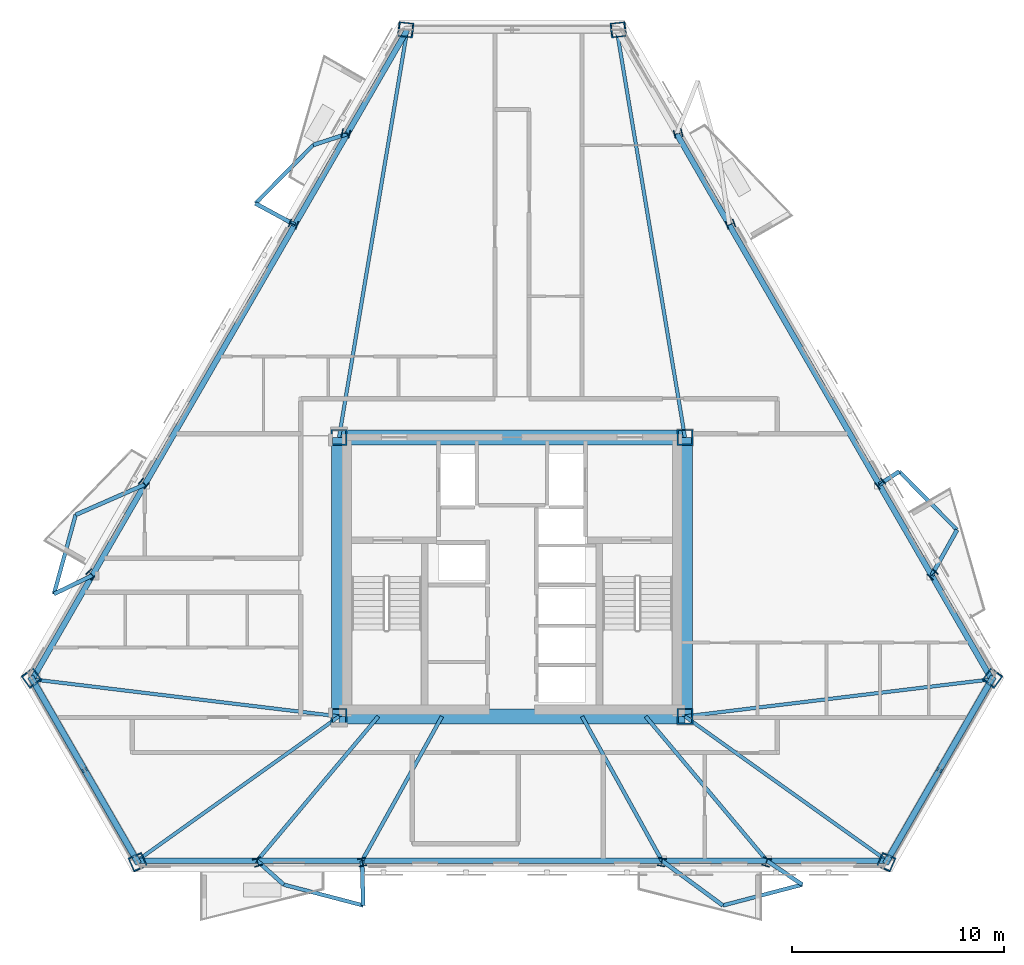
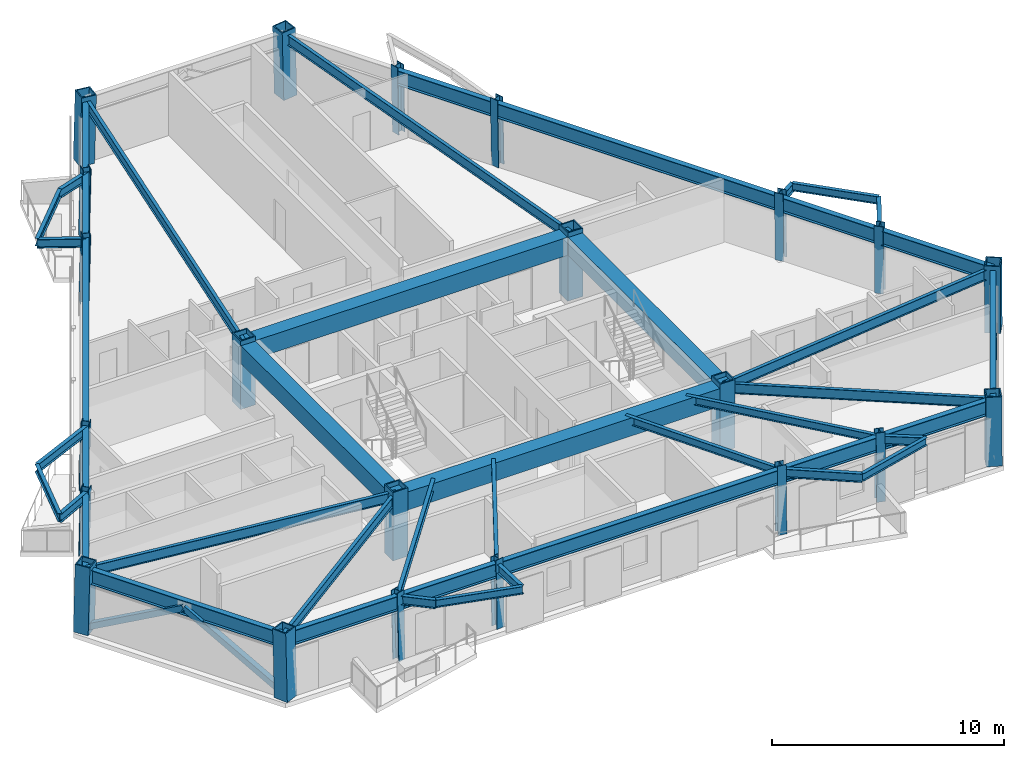
# One storey, part 1 of 9: 45 beams, 22 columns, 4 members.
"""IFC4 building model written with IfcOpenShell, lengths in metres."""

from ifc_helpers import new_model, si_unit, direction, frame, origin, origin_2d, place, context, subcontext, project, spatial, rectangle, hollow_rectangle, i_section, extrude, material, material_profile, profile_set, type_object, element, save


model = new_model("IFC4")

# Units and contexts
model_context = context("Model", 3, precision=1e-05, world=origin(), true_north=direction((0.0, 1.0)))
body_context = subcontext(model_context, "Body", "Model", "MODEL_VIEW")
ifc_project = project(units=[si_unit("LENGTHUNIT", "METRE"), si_unit("AREAUNIT", "SQUARE_METRE"), si_unit("VOLUMEUNIT", "CUBIC_METRE"), si_unit("PLANEANGLEUNIT", "RADIAN"), si_unit("MASSUNIT", "GRAM", prefix="KILO")], contexts=[model_context])

# Site, building, storey
site_placement = place(None, origin())
site = spatial("IfcSite", under=ifc_project, at=site_placement, CompositionType="ELEMENT")
building_placement = place(site_placement, origin())
building = spatial("IfcBuilding", under=site, at=building_placement, Name="Oramaril Tower", CompositionType="ELEMENT")
storey_placement = place(building_placement, frame((0.0, 0.0, 138.60009765625)))
storey = spatial("IfcBuildingStorey", under=building, at=storey_placement, Name="L36", CompositionType="ELEMENT", Elevation=138.60009765625)

# Columns
ifc_material_1 = material(Name="Steel ASTM A572 Gr 50", Category="steel")
ifc_material_profile_1 = material_profile(ifc_material_1, hollow_rectangle(XDim=0.75, YDim=0.75, WallThickness=0.06005859375, at=origin_2d()), Name="BOX750X750X60")
ifc_profile_set_1 = profile_set([ifc_material_profile_1], Name="Steel ASTM A572 Gr 50")
column_type_1 = type_object("IfcColumnType", Name="CT-CC4", PredefinedType="COLUMN", material=ifc_profile_set_1)
for number, where, z_axis, x_axis, name in (
    (1, (29.35009765625, 11.0, 0.0), (0.0, 0.0, 1.0), (1.0, 0.0, 0.0), "L36 Core Column CC-1"),
    (2, (45.64990234375, 11.0, 0.0), (0.0, 0.0, 1.0), (1.0, 0.0, 0.0), "L36 Core Column CC-2"),
    (3, (45.64990234375, 24.14990234375, 0.0), (0.0, 0.0, 1.0), (1.0, 0.0, 0.0), "L36 Core Column CC-3"),
    (4, (29.35009765625, 24.14990234375, 0.0), (0.0, 0.0, 1.0), (1.0, 0.0, 0.0), "L36 Core Column CC-4"),
):
    element("IfcColumn", number, at=place(storey_placement, frame(where, z_axis=z_axis, x_axis=x_axis)), inside=storey, type_object=column_type_1, Name=name, PredefinedType="COLUMN", context=body_context, shape_type="SweptSolid", body=[
        extrude(hollow_rectangle(XDim=0.75, YDim=0.75, WallThickness=0.06005859375, at=origin_2d()), origin(), (0.0, 0.0, 1.0), 3.599853515625),
    ])
ifc_material_2 = material(Name="Steel ASTM A572 Gr 50", Category="steel")
ifc_material_profile_2 = material_profile(ifc_material_2, hollow_rectangle(XDim=0.699951171875, YDim=0.699951171875, WallThickness=0.054931640625, at=origin_2d()), Name="BOX700X700X55")
ifc_profile_set_2 = profile_set([ifc_material_profile_2], Name="Steel ASTM A572 Gr 50")
column_type_2 = type_object("IfcColumnType", Name="CT-TC4", PredefinedType="COLUMN", material=ifc_profile_set_2)
for number, where, z_axis, x_axis, name in (
    (5, (14.845458984375, 12.81982421875, 0.00439453125), (0.014272802345, -0.019506163205, 0.999707855681), (0.807030325658, 0.590509994384, 0.0), "L36 Tube Column TC-01"),
    (6, (19.867919921875, 4.120849609375, 0.00439453125), (-0.009719107607, 0.022088880924, 0.999708767735), (-0.915315032423, -0.402738614266, 0.0), "L36 Tube Column TC-02"),
    (7, (55.132080078125, 4.120849609375, 0.00439453125), (0.009719107607, 0.022088880924, 0.999708767735), (-0.915315032423, 0.402738614266, 0.0), "L36 Tube Column TC-03"),
    (8, (60.154541015625, 12.81982421875, 0.00439453125), (-0.014272802345, -0.019506163205, 0.999707855681), (0.807030325658, -0.590509994384, 0.0), "L36 Tube Column TC-04"),
    (9, (42.5224609375, 43.359619140625, 0.00439453125), (-0.02405984636, -0.00265066104, 0.999707005972), (0.109506935686, -0.99398603161, 0.0), "L36 Tube Column TC-05"),
    (10, (32.4775390625, 43.359619140625, 0.00439453125), (0.02405984636, -0.00265066104, 0.999707005972), (0.109506935686, 0.99398603161, 0.0), "L36 Tube Column TC-06"),
):
    element("IfcColumn", number, at=place(storey_placement, frame(where, z_axis=z_axis, x_axis=x_axis)), inside=storey, type_object=column_type_2, Name=name, PredefinedType="COLUMN", context=body_context, shape_type="SweptSolid", body=[
        extrude(hollow_rectangle(XDim=0.699951171875, YDim=0.699951171875, WallThickness=0.054931640625, at=origin_2d()), origin(), (0.0, 0.0, 1.0), 3.592041015625),
    ])
ifc_material_3 = material(Name="Steel ASTM A572 Gr 50", Category="steel")
ifc_material_profile_3 = material_profile(ifc_material_3, i_section(OverallWidth=0.39892578125, OverallDepth=0.385986328125, WebThickness=0.02099609375, FlangeThickness=0.033203125, at=origin_2d()), Name="W14X176")
ifc_profile_set_3 = profile_set([ifc_material_profile_3], Name="Steel ASTM A572 Gr 50")
column_type_3 = type_object("IfcColumnType", Name="CT-TF4", PredefinedType="COLUMN", material=ifc_profile_set_3)
for number, where, z_axis, x_axis, name in (
    (11, (25.51025390625, 4.120849609375, 0.00439453125), (-0.006660814016, 0.022089434236, 0.999733809797), (-0.957419931855, -0.288698933298, 0.0), "L36 Tube Column TC-07"),
    (12, (30.447265625, 4.120849609375, 0.00439453125), (-0.003942171237, 0.02208975262, 0.999748219361), (-0.984446290974, -0.17568579962, 0.0), "L36 Tube Column TC-08"),
    (13, (44.552734375, 4.120849609375, 0.00439453125), (0.003942171237, 0.02208975262, 0.999748219361), (-0.984446290974, 0.17568579962, 0.0), "L36 Tube Column TC-09"),
    (14, (49.48974609375, 4.120849609375, 0.00439453125), (0.006660814016, 0.022089434236, 0.999733809797), (-0.957419931855, 0.288698933298, 0.0), "L36 Tube Column TC-10"),
    (15, (57.33349609375, 17.706298828125, 0.00439453125), (-0.01583640453, -0.016855915551, 0.999732507425), (0.728803631313, -0.684722766516, 0.0), "L36 Tube Column TC-11"),
    (16, (54.864990234375, 21.981689453125, 0.00439453125), (-0.017263955549, -0.014477254062, 0.999746150257), (0.642555132876, -0.766239454228, 0.0), "L36 Tube Column TC-12"),
    (17, (47.81201171875, 34.197509765625, 0.00439453125), (-0.021138169584, -0.007680428177, 0.999747062416), (0.341500399128, -0.939881629459, 0.0), "L36 Tube Column TC-13"),
    (18, (45.343505859375, 38.47314453125, 0.00439453125), (-0.022497217559, -0.005301459123, 0.999732849182), (0.229367125794, -0.973339982537, 0.0), "L36 Tube Column TC-14"),
    (19, (29.656494140625, 38.47314453125, 0.00439453125), (0.022497217559, -0.005301459123, 0.999732849182), (0.229367125794, 0.973339982537, 0.0), "L36 Tube Column TC-15"),
    (20, (27.18798828125, 34.197509765625, 0.00439453125), (0.021138169584, -0.007680428177, 0.999747062416), (0.341500399128, 0.939881629459, 0.0), "L36 Tube Column TC-16"),
    (21, (20.135009765625, 21.981689453125, 0.00439453125), (0.017263955549, -0.014477254062, 0.999746150257), (0.642555132876, 0.766239454228, 0.0), "L36 Tube Column TC-17"),
    (22, (17.66650390625, 17.706298828125, 0.00439453125), (0.01583640453, -0.016855915551, 0.999732507425), (0.728803631313, 0.684722766516, 0.0), "L36 Tube Column TC-18"),
):
    element("IfcColumn", number, at=place(storey_placement, frame(where, z_axis=z_axis, x_axis=x_axis)), inside=storey, type_object=column_type_3, Name=name, PredefinedType="COLUMN", context=body_context, shape_type="SweptSolid", body=[
        extrude(i_section(OverallWidth=0.39892578125, OverallDepth=0.385986328125, WebThickness=0.02099609375, FlangeThickness=0.033203125, at=origin_2d()), origin(), (0.0, 0.0, 1.0), 3.592041015625),
    ])

# Beams
ifc_material_4 = material(Name="Steel ASTM A572 Gr 50", Category="steel")
ifc_material_profile_4 = material_profile(ifc_material_4, i_section(OverallWidth=0.19091796875, OverallDepth=0.45703125, WebThickness=0.009033203125, FlangeThickness=0.014404296875, at=origin_2d()), Name="W18X50")
ifc_profile_set_4 = profile_set([ifc_material_profile_4], Name="Steel ASTM A572 Gr 50")
beam_type_1 = type_object("IfcBeamType", Name="BT-BB1", PredefinedType="BEAM", material=ifc_profile_set_4)
beam_1_placement = place(storey_placement, frame((25.486328125, 4.2001953125, 3.13134765625), z_axis=(0.744750099189, -0.667343457117, 0.0), x_axis=(0.667343457117, 0.744750099189, 0.0)))
element("IfcBeam", 23, at=beam_1_placement, inside=storey, type_object=beam_type_1, Name="L36 Balcony Column-Framed Cantilever 01.1", PredefinedType="BEAM", context=body_context, shape_type="SweptSolid", body=[
    extrude(i_section(OverallWidth=0.19091796875, OverallDepth=0.45703125, WebThickness=0.009033203125, FlangeThickness=0.014404296875, at=origin_2d()), origin(), (0.0, 0.0, 1.0), 1.6904296875),
])
beam_2_placement = place(storey_placement, frame((30.43310546875, 4.2001953125, 3.13134765625), z_axis=(0.026626341043, -0.999645456131, 0.0), x_axis=(0.999645456131, 0.026626341043, 0.0)))
element("IfcBeam", 24, at=beam_2_placement, inside=storey, type_object=beam_type_1, Name="L36 Balcony Column-Framed Cantilever 01.2", PredefinedType="BEAM", context=body_context, shape_type="SweptSolid", body=[
    extrude(i_section(OverallWidth=0.19091796875, OverallDepth=0.45703125, WebThickness=0.009033203125, FlangeThickness=0.014404296875, at=origin_2d()), origin(), (0.0, 0.0, 1.0), 2.10888671875),
])
beam_3_placement = place(storey_placement, frame((44.56689453125, 4.2001953125, 3.13134765625), z_axis=(0.805829056561, -0.592148234483, 0.0), x_axis=(0.592148234483, 0.805829056561, 0.0)))
element("IfcBeam", 25, at=beam_3_placement, inside=storey, type_object=beam_type_1, Name="L36 Balcony Column-Framed Cantilever 02.1", PredefinedType="BEAM", context=body_context, shape_type="SweptSolid", body=[
    extrude(i_section(OverallWidth=0.19091796875, OverallDepth=0.45703125, WebThickness=0.009033203125, FlangeThickness=0.014404296875, at=origin_2d()), origin(), (0.0, 0.0, 1.0), 3.56005859375),
])
beam_4_placement = place(storey_placement, frame((49.513671875, 4.2001953125, 3.13134765625), z_axis=(0.828015004901, -0.560705940452, 0.0), x_axis=(0.560705940452, 0.828015004901, 0.0)))
element("IfcBeam", 26, at=beam_4_placement, inside=storey, type_object=beam_type_1, Name="L36 Balcony Column-Framed Cantilever 02.2", PredefinedType="BEAM", context=body_context, shape_type="SweptSolid", body=[
    extrude(i_section(OverallWidth=0.19091796875, OverallDepth=0.45703125, WebThickness=0.009033203125, FlangeThickness=0.014404296875, at=origin_2d()), origin(), (0.0, 0.0, 1.0), 2.011962890625),
])
beam_5_placement = place(storey_placement, frame((57.276611328125, 17.645751953125, 3.13134765625), z_axis=(0.487128114149, 0.873330521856, 0.0), x_axis=(-0.873330521856, 0.487128114149, 0.0)))
element("IfcBeam", 27, at=beam_5_placement, inside=storey, type_object=beam_type_1, Name="L36 Balcony Column-Framed Cantilever 03.1", PredefinedType="BEAM", context=body_context, shape_type="SweptSolid", body=[
    extrude(i_section(OverallWidth=0.19091796875, OverallDepth=0.45703125, WebThickness=0.009033203125, FlangeThickness=0.014404296875, at=origin_2d()), origin(), (0.0, 0.0, 1.0), 2.455322265625),
])
beam_6_placement = place(storey_placement, frame((54.802978515625, 21.9296875, 3.13134765625), z_axis=(0.840074260377, 0.542471415885, 0.0), x_axis=(-0.542471415885, 0.840074260377, 0.0)))
element("IfcBeam", 28, at=beam_6_placement, inside=storey, type_object=beam_type_1, Name="L36 Balcony Column-Framed Cantilever 03.2", PredefinedType="BEAM", context=body_context, shape_type="SweptSolid", body=[
    extrude(i_section(OverallWidth=0.19091796875, OverallDepth=0.45703125, WebThickness=0.009033203125, FlangeThickness=0.014404296875, at=origin_2d()), origin(), (0.0, 0.0, 1.0), 1.129638671875),
])
beam_7_placement = place(storey_placement, frame((29.7373046875, 38.4541015625, 3.13134765625), z_axis=(-0.950288399722, -0.311371092675, 0.0), x_axis=(0.311371092675, -0.950288399722, 0.0)))
element("IfcBeam", 29, at=beam_7_placement, inside=storey, type_object=beam_type_1, Name="L36 Balcony Column-Framed Cantilever 05.1", PredefinedType="BEAM", context=body_context, shape_type="SweptSolid", body=[
    extrude(i_section(OverallWidth=0.19091796875, OverallDepth=0.45703125, WebThickness=0.009033203125, FlangeThickness=0.014404296875, at=origin_2d()), origin(), (0.0, 0.0, 1.0), 1.6904296875),
])
beam_8_placement = place(storey_placement, frame((27.263916015625, 34.169921875, 3.13134765625), z_axis=(-0.879043368218, 0.476741813555, 0.0), x_axis=(-0.476741813555, -0.879043368218, 0.0)))
element("IfcBeam", 30, at=beam_8_placement, inside=storey, type_object=beam_type_1, Name="L36 Balcony Column-Framed Cantilever 05.2", PredefinedType="BEAM", context=body_context, shape_type="SweptSolid", body=[
    extrude(i_section(OverallWidth=0.19091796875, OverallDepth=0.45703125, WebThickness=0.009033203125, FlangeThickness=0.014404296875, at=origin_2d()), origin(), (0.0, 0.0, 1.0), 2.10888671875),
])
beam_9_placement = place(storey_placement, frame((20.197021484375, 21.9296875, 3.13134765625), z_axis=(-0.915727125566, -0.401800736066, 0.0), x_axis=(0.401800736066, -0.915727125566, 0.0)))
element("IfcBeam", 31, at=beam_9_placement, inside=storey, type_object=beam_type_1, Name="L36 Balcony Column-Framed Cantilever 06.1", PredefinedType="BEAM", context=body_context, shape_type="SweptSolid", body=[
    extrude(i_section(OverallWidth=0.19091796875, OverallDepth=0.45703125, WebThickness=0.009033203125, FlangeThickness=0.014404296875, at=origin_2d()), origin(), (0.0, 0.0, 1.0), 3.56005859375),
])
beam_10_placement = place(storey_placement, frame((17.723388671875, 17.645751953125, 3.13134765625), z_axis=(-0.899536769902, -0.436845052158, 0.0), x_axis=(0.436845052158, -0.899536769902, 0.0)))
element("IfcBeam", 32, at=beam_10_placement, inside=storey, type_object=beam_type_1, Name="L36 Balcony Column-Framed Cantilever 06.2", PredefinedType="BEAM", context=body_context, shape_type="SweptSolid", body=[
    extrude(i_section(OverallWidth=0.19091796875, OverallDepth=0.45703125, WebThickness=0.009033203125, FlangeThickness=0.014404296875, at=origin_2d()), origin(), (0.0, 0.0, 1.0), 2.011962890625),
])
ifc_material_5 = material(Name="Concrete C50/60", Category="concrete")
ifc_material_profile_5 = material_profile(ifc_material_5, rectangle(XDim=0.699951171875, YDim=0.949951171875, at=origin_2d()), Name="CB700X950")
ifc_profile_set_5 = profile_set([ifc_material_profile_5], Name="Concrete C50/60")
beam_type_2 = type_object("IfcBeamType", Name="BT-CB1", PredefinedType="BEAM", material=ifc_profile_set_5)
beam_11_placement = place(storey_placement, frame((29.35009765625, 11.0, 2.885009765625), z_axis=(1.0, 0.0, 0.0), x_axis=(0.0, 1.0, 0.0)))
element("IfcBeam", 33, at=beam_11_placement, inside=storey, type_object=beam_type_2, Name="L36 Core Header Beam CB-1", PredefinedType="BEAM", context=body_context, shape_type="SweptSolid", body=[
    extrude(rectangle(XDim=0.699951171875, YDim=0.949951171875, at=origin_2d()), origin(), (0.0, 0.0, 1.0), 16.2998046875),
])
beam_12_placement = place(storey_placement, frame((45.64990234375, 11.0, 2.885009765625), z_axis=(0.0, 1.0, 0.0), x_axis=(-1.0, 0.0, 0.0)))
element("IfcBeam", 34, at=beam_12_placement, inside=storey, type_object=beam_type_2, Name="L36 Core Header Beam CB-2", PredefinedType="BEAM", context=body_context, shape_type="SweptSolid", body=[
    extrude(rectangle(XDim=0.699951171875, YDim=0.949951171875, at=origin_2d()), origin(), (0.0, 0.0, 1.0), 13.14990234375),
])
beam_13_placement = place(storey_placement, frame((45.64990234375, 24.14990234375, 2.885009765625), z_axis=(-1.0, 0.0, 0.0), x_axis=(0.0, -1.0, 0.0)))
element("IfcBeam", 35, at=beam_13_placement, inside=storey, type_object=beam_type_2, Name="L36 Core Header Beam CB-3", PredefinedType="BEAM", context=body_context, shape_type="SweptSolid", body=[
    extrude(rectangle(XDim=0.699951171875, YDim=0.949951171875, at=origin_2d()), origin(), (0.0, 0.0, 1.0), 16.2998046875),
])
beam_14_placement = place(storey_placement, frame((29.35009765625, 24.14990234375, 2.885009765625), z_axis=(0.0, -1.0, 0.0), x_axis=(1.0, 0.0, 0.0)))
element("IfcBeam", 36, at=beam_14_placement, inside=storey, type_object=beam_type_2, Name="L36 Core Header Beam CB-4", PredefinedType="BEAM", context=body_context, shape_type="SweptSolid", body=[
    extrude(rectangle(XDim=0.699951171875, YDim=0.949951171875, at=origin_2d()), origin(), (0.0, 0.0, 1.0), 13.14990234375),
])
ifc_material_6 = material(Name="Steel ASTM A572 Gr 50", Category="steel")
ifc_material_profile_6 = material_profile(ifc_material_6, i_section(OverallWidth=0.166015625, OverallDepth=0.528076171875, WebThickness=0.009765625, FlangeThickness=0.013671875, at=origin_2d()), Name="W21X50")
ifc_profile_set_6 = profile_set([ifc_material_profile_6], Name="Steel ASTM A572 Gr 50")
beam_type_3 = type_object("IfcBeamType", Name="BT-FB3", PredefinedType="BEAM", material=ifc_profile_set_6)
beam_15_placement = place(storey_placement, frame((29.35009765625, 11.0, 3.095947265625), z_axis=(-0.992751557131, 0.120184632185, 0.0), x_axis=(-0.120184632185, -0.992751557131, 0.0)))
element("IfcBeam", 37, at=beam_15_placement, inside=storey, type_object=beam_type_3, Name="L36 Radial Primary Beam RB-01", PredefinedType="BEAM", context=body_context, shape_type="SweptSolid", body=[
    extrude(i_section(OverallWidth=0.166015625, OverallDepth=0.528076171875, WebThickness=0.009765625, FlangeThickness=0.013671875, at=origin_2d()), origin(), (0.0, 0.0, 1.0), 14.558837890625),
])
for number, where, z_axis, x_axis, name in (
    (38, (29.35009765625, 11.0, 3.095947265625), (-0.813657307287, -0.581344808439, 0.0), (0.581344808439, -0.813657307287, 0.0), "L36 Radial Primary Beam RB-02"),
    (39, (45.64990234375, 11.0, 3.095947265625), (0.813657307287, -0.581344808439, 0.0), (0.581344808439, 0.813657307287, 0.0), "L36 Radial Primary Beam RB-03"),
):
    element("IfcBeam", number, at=place(storey_placement, frame(where, z_axis=z_axis, x_axis=x_axis)), inside=storey, type_object=beam_type_3, Name=name, PredefinedType="BEAM", context=body_context, shape_type="SweptSolid", body=[
        extrude(i_section(OverallWidth=0.166015625, OverallDepth=0.528076171875, WebThickness=0.009765625, FlangeThickness=0.013671875, at=origin_2d()), origin(), (0.0, 0.0, 1.0), 11.69677734375),
    ])
beam_16_placement = place(storey_placement, frame((45.64990234375, 11.0, 3.095947265625), z_axis=(0.992751557131, 0.120184632185, 0.0), x_axis=(-0.120184632185, 0.992751557131, 0.0)))
element("IfcBeam", 40, at=beam_16_placement, inside=storey, type_object=beam_type_3, Name="L36 Radial Primary Beam RB-04", PredefinedType="BEAM", context=body_context, shape_type="SweptSolid", body=[
    extrude(i_section(OverallWidth=0.166015625, OverallDepth=0.528076171875, WebThickness=0.009765625, FlangeThickness=0.013671875, at=origin_2d()), origin(), (0.0, 0.0, 1.0), 14.558837890625),
])
for number, where, z_axis, x_axis, name in (
    (41, (45.64990234375, 24.14990234375, 3.095947265625), (-0.165090399472, 0.986278439388, 0.0), (-0.986278439388, -0.165090399472, 0.0), "L36 Radial Primary Beam RB-05"),
    (42, (29.35009765625, 24.14990234375, 3.095947265625), (0.165090399472, 0.986278439388, 0.0), (-0.986278439388, 0.165090399472, 0.0), "L36 Radial Primary Beam RB-06"),
):
    element("IfcBeam", number, at=place(storey_placement, frame(where, z_axis=z_axis, x_axis=x_axis)), inside=storey, type_object=beam_type_3, Name=name, PredefinedType="BEAM", context=body_context, shape_type="SweptSolid", body=[
        extrude(i_section(OverallWidth=0.166015625, OverallDepth=0.528076171875, WebThickness=0.009765625, FlangeThickness=0.013671875, at=origin_2d()), origin(), (0.0, 0.0, 1.0), 19.46728515625),
    ])
ifc_material_7 = material(Name="Steel ASTM A572 Gr 50", Category="steel")
ifc_material_profile_7 = material_profile(ifc_material_7, i_section(OverallWidth=0.177978515625, OverallDepth=0.404052734375, WebThickness=0.007568359375, FlangeThickness=0.010986328125, at=origin_2d()), Name="W16X36")
ifc_profile_set_7 = profile_set([ifc_material_profile_7], Name="Steel ASTM A572 Gr 50")
beam_type_4 = type_object("IfcBeamType", Name="BT-SB1", PredefinedType="BEAM", material=ifc_profile_set_7)
beam_17_placement = place(storey_placement, frame((31.199951171875, 11.0, 3.157958984375), z_axis=(-0.64331005181, -0.765605758364, 0.0), x_axis=(0.765605758364, -0.64331005181, 0.0)))
element("IfcBeam", 43, at=beam_17_placement, inside=storey, type_object=beam_type_4, Name="L36 Secondary Floor Beam SB-01", PredefinedType="BEAM", context=body_context, shape_type="SweptSolid", body=[
    extrude(i_section(OverallWidth=0.177978515625, OverallDepth=0.404052734375, WebThickness=0.007568359375, FlangeThickness=0.010986328125, at=origin_2d()), origin(), (0.0, 0.0, 1.0), 8.881591796875),
])
for number, where, z_axis, x_axis, name in (
    (44, (34.199951171875, 11.0, 3.157958984375), (-0.484578585287, -0.874747732024, 0.0), (0.874747732024, -0.484578585287, 0.0), "L36 Secondary Floor Beam SB-02"),
    (45, (40.800048828125, 11.0, 3.157958984375), (0.484578585287, -0.874747732024, 0.0), (0.874747732024, 0.484578585287, 0.0), "L36 Secondary Floor Beam SB-03"),
):
    element("IfcBeam", number, at=place(storey_placement, frame(where, z_axis=z_axis, x_axis=x_axis)), inside=storey, type_object=beam_type_4, Name=name, PredefinedType="BEAM", context=body_context, shape_type="SweptSolid", body=[
        extrude(i_section(OverallWidth=0.177978515625, OverallDepth=0.404052734375, WebThickness=0.007568359375, FlangeThickness=0.010986328125, at=origin_2d()), origin(), (0.0, 0.0, 1.0), 7.7734375),
    ])
beam_18_placement = place(storey_placement, frame((43.800048828125, 11.0, 3.157958984375), z_axis=(0.64331005181, -0.765605758364, 0.0), x_axis=(0.765605758364, 0.64331005181, 0.0)))
element("IfcBeam", 46, at=beam_18_placement, inside=storey, type_object=beam_type_4, Name="L36 Secondary Floor Beam SB-04", PredefinedType="BEAM", context=body_context, shape_type="SweptSolid", body=[
    extrude(i_section(OverallWidth=0.177978515625, OverallDepth=0.404052734375, WebThickness=0.007568359375, FlangeThickness=0.010986328125, at=origin_2d()), origin(), (0.0, 0.0, 1.0), 8.881591796875),
])
for number, where, z_axis, x_axis, name in (
    (47, (26.745361328125, 3.072021484375, 3.157958984375), (0.967407922874, -0.253223045479, 0.0), (0.253223045479, 0.967407922874, 0.0), "L36 Balcony Edge Tie Beam 01"),
    (48, (47.435791015625, 2.092041015625, 3.157958984375), (0.967407922874, 0.253223045479, 0.0), (-0.253223045479, 0.967407922874, 0.0), "L36 Balcony Edge Tie Beam 02"),
    (49, (58.47265625, 19.7900390625, 3.157958984375), (-0.702994511648, 0.71119527318, 0.0), (-0.71119527318, -0.702994511648, 0.0), "L36 Balcony Edge Tie Beam 03"),
    (50, (28.130859375, 37.927734375, 3.157958984375), (-0.702994511648, -0.71119527318, 0.0), (0.71119527318, -0.702994511648, 0.0), "L36 Balcony Edge Tie Beam 05"),
    (51, (16.93701171875, 20.499267578125, 3.157958984375), (-0.264440915482, -0.964401888332, 0.0), (0.964401888332, -0.264440915482, 0.0), "L36 Balcony Edge Tie Beam 06"),
):
    element("IfcBeam", number, at=place(storey_placement, frame(where, z_axis=z_axis, x_axis=x_axis)), inside=storey, type_object=beam_type_4, Name=name, PredefinedType="BEAM", context=body_context, shape_type="SweptSolid", body=[
        extrude(i_section(OverallWidth=0.177978515625, OverallDepth=0.404052734375, WebThickness=0.007568359375, FlangeThickness=0.010986328125, at=origin_2d()), origin(), (0.0, 0.0, 1.0), 3.8701171875),
    ])
ifc_material_8 = material(Name="Steel ASTM A572 Gr 50", Category="steel")
ifc_material_profile_8 = material_profile(ifc_material_8, i_section(OverallWidth=0.26708984375, OverallDepth=0.77001953125, WebThickness=0.015625, FlangeThickness=0.025390625, at=origin_2d()), Name="W30X132")
ifc_profile_set_8 = profile_set([ifc_material_profile_8], Name="Steel ASTM A572 Gr 50")
beam_type_5 = type_object("IfcBeamType", Name="BT-SP3", PredefinedType="SPANDREL", material=ifc_profile_set_8)
beam_19_placement = place(storey_placement, frame((14.896728515625, 12.749755859375, 2.974853515625), z_axis=(0.500014298586, -0.866017148335, 0.0), x_axis=(0.866017148335, 0.500014298586, 0.0)))
element("IfcBeam", 52, at=beam_19_placement, inside=storey, type_object=beam_type_5, Name="L36 Perimeter Spandrel 01", PredefinedType="SPANDREL", context=body_context, shape_type="SweptSolid", body=[
    extrude(i_section(OverallWidth=0.26708984375, OverallDepth=0.77001953125, WebThickness=0.015625, FlangeThickness=0.025390625, at=origin_2d()), origin(), (0.0, 0.0, 1.0), 9.872314453125),
])
beam_20_placement = place(storey_placement, frame((19.8330078125, 4.2001953125, 2.974853515625), z_axis=(1.0, 0.0, 0.0), x_axis=(0.0, 1.0, 0.0)))
element("IfcBeam", 53, at=beam_20_placement, inside=storey, type_object=beam_type_5, Name="L36 Perimeter Spandrel 02", PredefinedType="SPANDREL", context=body_context, shape_type="SweptSolid", body=[
    extrude(i_section(OverallWidth=0.26708984375, OverallDepth=0.77001953125, WebThickness=0.015625, FlangeThickness=0.025390625, at=origin_2d()), origin(), (0.0, 0.0, 1.0), 5.6533203125),
])
beam_21_placement = place(storey_placement, frame((25.486328125, 4.2001953125, 2.974853515625), z_axis=(1.0, 0.0, 0.0), x_axis=(0.0, 1.0, 0.0)))
element("IfcBeam", 54, at=beam_21_placement, inside=storey, type_object=beam_type_5, Name="L36 Perimeter Spandrel 03", PredefinedType="SPANDREL", context=body_context, shape_type="SweptSolid", body=[
    extrude(i_section(OverallWidth=0.26708984375, OverallDepth=0.77001953125, WebThickness=0.015625, FlangeThickness=0.025390625, at=origin_2d()), origin(), (0.0, 0.0, 1.0), 4.94677734375),
])
beam_22_placement = place(storey_placement, frame((30.43310546875, 4.2001953125, 2.974853515625), z_axis=(1.0, 0.0, 0.0), x_axis=(0.0, 1.0, 0.0)))
element("IfcBeam", 55, at=beam_22_placement, inside=storey, type_object=beam_type_5, Name="L36 Perimeter Spandrel 04", PredefinedType="SPANDREL", context=body_context, shape_type="SweptSolid", body=[
    extrude(i_section(OverallWidth=0.26708984375, OverallDepth=0.77001953125, WebThickness=0.015625, FlangeThickness=0.025390625, at=origin_2d()), origin(), (0.0, 0.0, 1.0), 14.1337890625),
])
beam_23_placement = place(storey_placement, frame((44.56689453125, 4.2001953125, 2.974853515625), z_axis=(1.0, 0.0, 0.0), x_axis=(0.0, 1.0, 0.0)))
element("IfcBeam", 56, at=beam_23_placement, inside=storey, type_object=beam_type_5, Name="L36 Perimeter Spandrel 05", PredefinedType="SPANDREL", context=body_context, shape_type="SweptSolid", body=[
    extrude(i_section(OverallWidth=0.26708984375, OverallDepth=0.77001953125, WebThickness=0.015625, FlangeThickness=0.025390625, at=origin_2d()), origin(), (0.0, 0.0, 1.0), 4.94677734375),
])
beam_24_placement = place(storey_placement, frame((49.513671875, 4.2001953125, 2.974853515625), z_axis=(1.0, 0.0, 0.0), x_axis=(0.0, 1.0, 0.0)))
element("IfcBeam", 57, at=beam_24_placement, inside=storey, type_object=beam_type_5, Name="L36 Perimeter Spandrel 06", PredefinedType="SPANDREL", context=body_context, shape_type="SweptSolid", body=[
    extrude(i_section(OverallWidth=0.26708984375, OverallDepth=0.77001953125, WebThickness=0.015625, FlangeThickness=0.025390625, at=origin_2d()), origin(), (0.0, 0.0, 1.0), 5.6533203125),
])
beam_25_placement = place(storey_placement, frame((55.1669921875, 4.2001953125, 2.974853515625), z_axis=(0.500014298586, 0.866017148335, 0.0), x_axis=(-0.866017148335, 0.500014298586, 0.0)))
element("IfcBeam", 58, at=beam_25_placement, inside=storey, type_object=beam_type_5, Name="L36 Perimeter Spandrel 07", PredefinedType="SPANDREL", context=body_context, shape_type="SweptSolid", body=[
    extrude(i_section(OverallWidth=0.26708984375, OverallDepth=0.77001953125, WebThickness=0.015625, FlangeThickness=0.025390625, at=origin_2d()), origin(), (0.0, 0.0, 1.0), 9.872314453125),
])
beam_26_placement = place(storey_placement, frame((60.103271484375, 12.749755859375, 2.974853515625), z_axis=(-0.499994095595, 0.866028812667, 0.0), x_axis=(-0.866028812667, -0.499994095595, 0.0)))
element("IfcBeam", 59, at=beam_26_placement, inside=storey, type_object=beam_type_5, Name="L36 Perimeter Spandrel 08", PredefinedType="SPANDREL", context=body_context, shape_type="SweptSolid", body=[
    extrude(i_section(OverallWidth=0.26708984375, OverallDepth=0.77001953125, WebThickness=0.015625, FlangeThickness=0.025390625, at=origin_2d()), origin(), (0.0, 0.0, 1.0), 5.6533203125),
])
beam_27_placement = place(storey_placement, frame((57.276611328125, 17.645751953125, 2.974853515625), z_axis=(-0.5000457062, 0.865999013689, 0.0), x_axis=(-0.865999013689, -0.5000457062, 0.0)))
element("IfcBeam", 60, at=beam_27_placement, inside=storey, type_object=beam_type_5, Name="L36 Perimeter Spandrel 09", PredefinedType="SPANDREL", context=body_context, shape_type="SweptSolid", body=[
    extrude(i_section(OverallWidth=0.26708984375, OverallDepth=0.77001953125, WebThickness=0.015625, FlangeThickness=0.025390625, at=origin_2d()), origin(), (0.0, 0.0, 1.0), 4.94677734375),
])
beam_28_placement = place(storey_placement, frame((54.802978515625, 21.9296875, 2.974853515625), z_axis=(-0.499999571235, 0.866025651332, 0.0), x_axis=(-0.866025651332, -0.499999571235, 0.0)))
element("IfcBeam", 61, at=beam_28_placement, inside=storey, type_object=beam_type_5, Name="L36 Perimeter Spandrel 10", PredefinedType="SPANDREL", context=body_context, shape_type="SweptSolid", body=[
    extrude(i_section(OverallWidth=0.26708984375, OverallDepth=0.77001953125, WebThickness=0.015625, FlangeThickness=0.025390625, at=origin_2d()), origin(), (0.0, 0.0, 1.0), 14.1337890625),
])
beam_29_placement = place(storey_placement, frame((47.736083984375, 34.169921875, 2.974853515625), z_axis=(-0.499987321717, 0.866032723471, 0.0), x_axis=(-0.866032723471, -0.499987321717, 0.0)))
element("IfcBeam", 62, at=beam_29_placement, inside=storey, type_object=beam_type_5, Name="L36 Perimeter Spandrel 11", PredefinedType="SPANDREL", context=body_context, shape_type="SweptSolid", body=[
    extrude(i_section(OverallWidth=0.26708984375, OverallDepth=0.77001953125, WebThickness=0.015625, FlangeThickness=0.025390625, at=origin_2d()), origin(), (0.0, 0.0, 1.0), 4.947021484375),
])
beam_30_placement = place(storey_placement, frame((32.56396484375, 43.35009765625, 2.974853515625), z_axis=(-0.499994095595, -0.866028812667, 0.0), x_axis=(0.866028812667, -0.499994095595, 0.0)))
element("IfcBeam", 63, at=beam_30_placement, inside=storey, type_object=beam_type_5, Name="L36 Perimeter Spandrel 14", PredefinedType="SPANDREL", context=body_context, shape_type="SweptSolid", body=[
    extrude(i_section(OverallWidth=0.26708984375, OverallDepth=0.77001953125, WebThickness=0.015625, FlangeThickness=0.025390625, at=origin_2d()), origin(), (0.0, 0.0, 1.0), 5.6533203125),
])
beam_31_placement = place(storey_placement, frame((29.7373046875, 38.4541015625, 2.974853515625), z_axis=(-0.499987321717, -0.866032723471, 0.0), x_axis=(0.866032723471, -0.499987321717, 0.0)))
element("IfcBeam", 64, at=beam_31_placement, inside=storey, type_object=beam_type_5, Name="L36 Perimeter Spandrel 15", PredefinedType="SPANDREL", context=body_context, shape_type="SweptSolid", body=[
    extrude(i_section(OverallWidth=0.26708984375, OverallDepth=0.77001953125, WebThickness=0.015625, FlangeThickness=0.025390625, at=origin_2d()), origin(), (0.0, 0.0, 1.0), 4.947021484375),
])
beam_32_placement = place(storey_placement, frame((27.263916015625, 34.169921875, 2.974853515625), z_axis=(-0.499999571235, -0.866025651332, 0.0), x_axis=(0.866025651332, -0.499999571235, 0.0)))
element("IfcBeam", 65, at=beam_32_placement, inside=storey, type_object=beam_type_5, Name="L36 Perimeter Spandrel 16", PredefinedType="SPANDREL", context=body_context, shape_type="SweptSolid", body=[
    extrude(i_section(OverallWidth=0.26708984375, OverallDepth=0.77001953125, WebThickness=0.015625, FlangeThickness=0.025390625, at=origin_2d()), origin(), (0.0, 0.0, 1.0), 14.1337890625),
])
beam_33_placement = place(storey_placement, frame((20.197021484375, 21.9296875, 2.974853515625), z_axis=(-0.5000457062, -0.865999013689, 0.0), x_axis=(0.865999013689, -0.5000457062, 0.0)))
element("IfcBeam", 66, at=beam_33_placement, inside=storey, type_object=beam_type_5, Name="L36 Perimeter Spandrel 17", PredefinedType="SPANDREL", context=body_context, shape_type="SweptSolid", body=[
    extrude(i_section(OverallWidth=0.26708984375, OverallDepth=0.77001953125, WebThickness=0.015625, FlangeThickness=0.025390625, at=origin_2d()), origin(), (0.0, 0.0, 1.0), 4.94677734375),
])
beam_34_placement = place(storey_placement, frame((17.723388671875, 17.645751953125, 2.974853515625), z_axis=(-0.499994095595, -0.866028812667, 0.0), x_axis=(0.866028812667, -0.499994095595, 0.0)))
element("IfcBeam", 67, at=beam_34_placement, inside=storey, type_object=beam_type_5, Name="L36 Perimeter Spandrel 18", PredefinedType="SPANDREL", context=body_context, shape_type="SweptSolid", body=[
    extrude(i_section(OverallWidth=0.26708984375, OverallDepth=0.77001953125, WebThickness=0.015625, FlangeThickness=0.025390625, at=origin_2d()), origin(), (0.0, 0.0, 1.0), 5.6533203125),
])

# Members
ifc_material_9 = material(Name="Steel ASTM A572 Gr 50", Category="steel")
ifc_material_profile_9 = material_profile(ifc_material_9, hollow_rectangle(XDim=0.300048828125, YDim=0.300048828125, WallThickness=0.01611328125, at=origin_2d()), Name="HSS300X300X16")
ifc_profile_set_9 = profile_set([ifc_material_profile_9], Name="Steel ASTM A572 Gr 50")
member_type = type_object("IfcMemberType", Name="MT-KB2", PredefinedType="BRACE", material=ifc_profile_set_9)
member_1_placement = place(storey_placement, frame((14.845458984375, 12.81982421875, 0.179931640625), z_axis=(0.4369044595, -0.75674604807, 0.486261156169), x_axis=(0.866026927608, 0.499997360652, 0.0)))
element("IfcMember", 68, at=member_1_placement, inside=storey, type_object=member_type, Name="L36 Perimeter Chevron Brace KB-1A", PredefinedType="BRACE", context=body_context, shape_type="SweptSolid", body=[
    extrude(hollow_rectangle(XDim=0.300048828125, YDim=0.300048828125, WallThickness=0.01611328125, at=origin_2d()), origin(), (0.0, 0.0, 1.0), 5.747802734375),
])
for number, where, z_axis, x_axis, name in (
    (69, (19.867919921875, 4.120849609375, 0.179931640625), (-0.436918503323, 0.756727895849, 0.48627678651), (-0.866014774592, -0.500018409849, 0.0), "L36 Perimeter Chevron Brace KB-1B"),
    (70, (55.132080078125, 4.120849609375, 0.179931640625), (0.436918503323, 0.756727895849, 0.48627678651), (-0.866014774592, 0.500018409849, 0.0), "L36 Perimeter Chevron Brace KB-2A"),
):
    element("IfcMember", number, at=place(storey_placement, frame(where, z_axis=z_axis, x_axis=x_axis)), inside=storey, type_object=member_type, Name=name, PredefinedType="BRACE", context=body_context, shape_type="SweptSolid", body=[
        extrude(hollow_rectangle(XDim=0.300048828125, YDim=0.300048828125, WallThickness=0.01611328125, at=origin_2d()), origin(), (0.0, 0.0, 1.0), 5.74755859375),
    ])
member_2_placement = place(storey_placement, frame((60.154541015625, 12.81982421875, 0.179931640625), z_axis=(-0.4369044595, -0.75674604807, 0.486261156169), x_axis=(0.866026927608, -0.499997360652, 0.0)))
element("IfcMember", 71, at=member_2_placement, inside=storey, type_object=member_type, Name="L36 Perimeter Chevron Brace KB-2B", PredefinedType="BRACE", context=body_context, shape_type="SweptSolid", body=[
    extrude(hollow_rectangle(XDim=0.300048828125, YDim=0.300048828125, WallThickness=0.01611328125, at=origin_2d()), origin(), (0.0, 0.0, 1.0), 5.747802734375),
])

save(model, "model.ifc")
